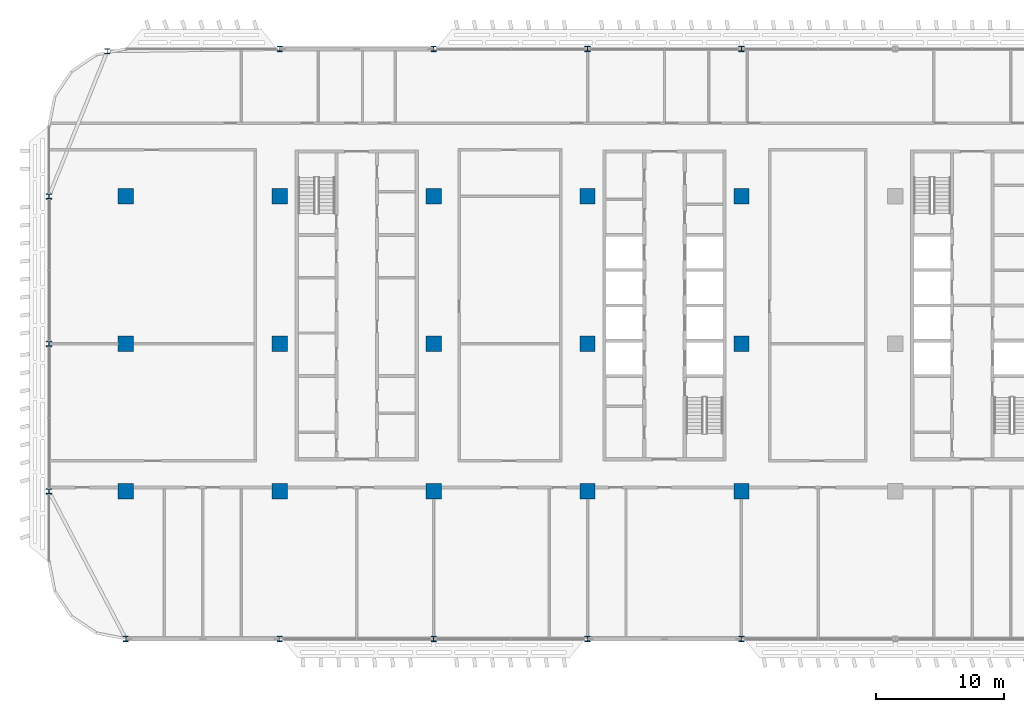
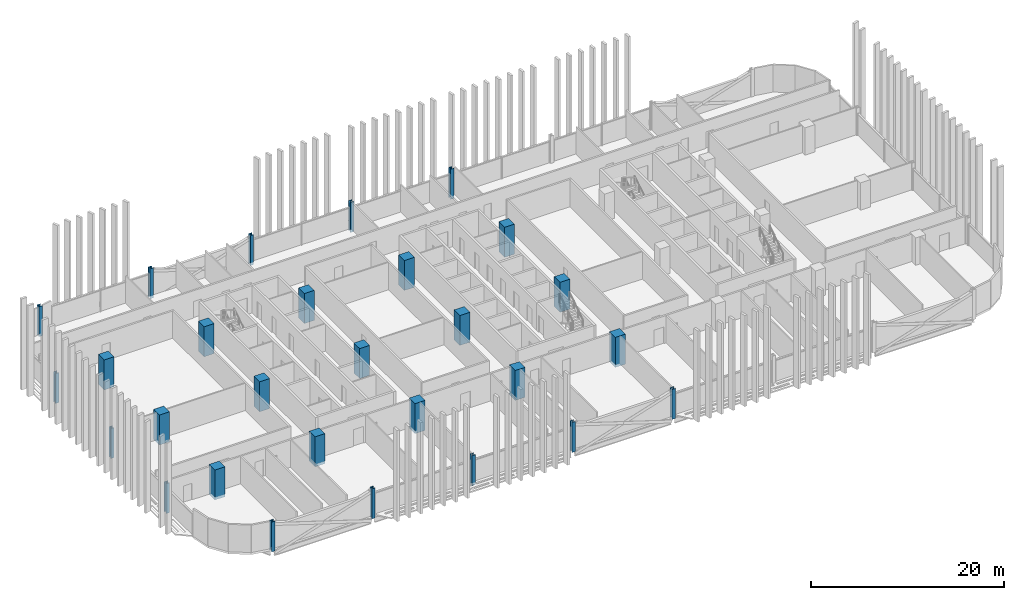
# One storey, part 1 of 28: 28 columns.
"""IFC4 building model written with IfcOpenShell, lengths in metres."""

from ifc_helpers import new_model, si_unit, direction, frame, origin, origin_2d, place, context, subcontext, project, spatial, rectangle, i_section, extrude, material, material_profile, profile_set, type_object, element, save


model = new_model("IFC4")

# Units and contexts
model_context = context("Model", 3, precision=1e-05, world=origin(), true_north=direction((0.0, 1.0)))
body_context = subcontext(model_context, "Body", "Model", "MODEL_VIEW")
ifc_project = project(units=[si_unit("LENGTHUNIT", "METRE"), si_unit("AREAUNIT", "SQUARE_METRE"), si_unit("VOLUMEUNIT", "CUBIC_METRE"), si_unit("PLANEANGLEUNIT", "RADIAN"), si_unit("MASSUNIT", "GRAM", prefix="KILO")], contexts=[model_context])

# Site, building, storey
site_placement = place(None, origin())
site = spatial("IfcSite", under=ifc_project, at=site_placement, CompositionType="ELEMENT")
building_placement = place(site_placement, origin())
building = spatial("IfcBuilding", under=site, at=building_placement, Name="Mahtab Terrace Research Tower", CompositionType="ELEMENT")
storey_placement = place(building_placement, frame((0.0, 0.0, 174.39990234375)))
storey = spatial("IfcBuildingStorey", under=building, at=storey_placement, Name="L41", CompositionType="ELEMENT", Elevation=174.39990234375)

# Columns
ifc_material_1 = material(Name="Concrete C70/85", Category="concrete")
ifc_material_profile_1 = material_profile(ifc_material_1, rectangle(XDim=1.199951171875, YDim=1.199951171875, at=origin_2d()), Name="RC column 1200x1200")
ifc_profile_set_1 = profile_set([ifc_material_profile_1], Name="Concrete C70/85")
column_type_1 = type_object("IfcColumnType", Name="RC column 1200x1200", PredefinedType="COLUMN", material=ifc_profile_set_1)
for number, where, z_axis, x_axis, name in (
    (1, (-42.0, -11.5, -0.33984375), (0.0, 0.0, 1.0), (1.0, 0.0, 0.0), "Column RC-1A L41"),
    (2, (-42.0, 0.0, -0.33984375), (0.0, 0.0, 1.0), (1.0, 0.0, 0.0), "Column RC-1B L41"),
    (3, (-42.0, 11.5, -0.33984375), (0.0, 0.0, 1.0), (1.0, 0.0, 0.0), "Column RC-1C L41"),
    (4, (-30.0, -11.5, -0.33984375), (0.0, 0.0, 1.0), (1.0, 0.0, 0.0), "Column RC-2A L41"),
    (5, (-30.0, 0.0, -0.33984375), (0.0, 0.0, 1.0), (1.0, 0.0, 0.0), "Column RC-2B L41"),
    (6, (-30.0, 11.5, -0.33984375), (0.0, 0.0, 1.0), (1.0, 0.0, 0.0), "Column RC-2C L41"),
    (7, (-18.0, -11.5, -0.33984375), (0.0, 0.0, 1.0), (1.0, 0.0, 0.0), "Column RC-3A L41"),
    (8, (-18.0, 0.0, -0.33984375), (0.0, 0.0, 1.0), (1.0, 0.0, 0.0), "Column RC-3B L41"),
    (9, (-18.0, 11.5, -0.33984375), (0.0, 0.0, 1.0), (1.0, 0.0, 0.0), "Column RC-3C L41"),
    (10, (-6.0, -11.5, -0.33984375), (0.0, 0.0, 1.0), (1.0, 0.0, 0.0), "Column RC-4A L41"),
    (11, (-6.0, 0.0, -0.33984375), (0.0, 0.0, 1.0), (1.0, 0.0, 0.0), "Column RC-4B L41"),
    (12, (-6.0, 11.5, -0.33984375), (0.0, 0.0, 1.0), (1.0, 0.0, 0.0), "Column RC-4C L41"),
    (13, (6.0, -11.5, -0.33984375), (0.0, 0.0, 1.0), (1.0, 0.0, 0.0), "Column RC-5A L41"),
    (14, (6.0, 0.0, -0.33984375), (0.0, 0.0, 1.0), (1.0, 0.0, 0.0), "Column RC-5B L41"),
    (15, (6.0, 11.5, -0.33984375), (0.0, 0.0, 1.0), (1.0, 0.0, 0.0), "Column RC-5C L41"),
):
    element("IfcColumn", number, at=place(storey_placement, frame(where, z_axis=z_axis, x_axis=x_axis)), inside=storey, type_object=column_type_1, Name=name, PredefinedType="COLUMN", context=body_context, shape_type="SweptSolid", body=[
        extrude(rectangle(XDim=1.199951171875, YDim=1.199951171875, at=origin_2d()), origin(), (0.0, 0.0, 1.0), 3.800048828125),
    ])
ifc_material_2 = material(Name="Steel ASTM A992 Gr 50", Category="steel")
ifc_material_profile_2 = material_profile(ifc_material_2, i_section(OverallWidth=0.406494140625, OverallDepth=0.41650390625, WebThickness=0.030029296875, FlangeThickness=0.048095703125, at=origin_2d()), Name="W14X257")
ifc_profile_set_2 = profile_set([ifc_material_profile_2], Name="Steel ASTM A992 Gr 50")
column_type_2 = type_object("IfcColumnType", Name="W14x257 column CS14257", PredefinedType="COLUMN", material=ifc_profile_set_2)
for number, where, z_axis, x_axis, name in (
    (16, (6.0, 23.0, -0.33984375), (0.0, 0.0, 1.0), (1.0, 0.0, 0.0), "Column SC-004 L41"),
    (17, (-6.0, 23.0, -0.33984375), (0.0, 0.0, 1.0), (1.0, 0.0, 0.0), "Column SC-005 L41"),
    (18, (-18.0, 23.0, -0.33984375), (0.0, 0.0, 1.0), (1.0, 0.0, 0.0), "Column SC-006 L41"),
    (19, (-30.0, 23.0, -0.33984375), (0.0, 0.0, 1.0), (1.0, 0.0, 0.0), "Column SC-007 L41"),
    (20, (-43.447998046875, 22.822021484375, -0.33984375), (0.0, 0.0, 1.0), (1.0, 0.0, 0.0), "Column SC-051 L41"),
    (21, (-48.0, 11.5, -0.33984375), (0.0, 0.0, 1.0), (1.0, 0.0, 0.0), "Column SC-009 L41"),
    (22, (-48.0, 0.0, -0.33984375), (0.0, 0.0, 1.0), (1.0, 0.0, 0.0), "Column SC-010 L41"),
    (23, (-48.0, -11.5, -0.33984375), (0.0, 0.0, 1.0), (1.0, 0.0, 0.0), "Column SC-011 L41"),
    (24, (-42.0, -23.0, -0.33984375), (0.0, 0.0, 1.0), (1.0, 0.0, 0.0), "Column SC-012 L41"),
    (25, (-30.0, -23.0, -0.33984375), (0.0, 0.0, 1.0), (1.0, 0.0, 0.0), "Column SC-013 L41"),
    (26, (-18.0, -23.0, -0.33984375), (0.0, 0.0, 1.0), (1.0, 0.0, 0.0), "Column SC-014 L41"),
    (27, (-6.0, -23.0, -0.33984375), (0.0, 0.0, 1.0), (1.0, 0.0, 0.0), "Column SC-015 L41"),
    (28, (6.0, -23.0, -0.33984375), (0.0, 0.0, 1.0), (1.0, 0.0, 0.0), "Column SC-016 L41"),
):
    element("IfcColumn", number, at=place(storey_placement, frame(where, z_axis=z_axis, x_axis=x_axis)), inside=storey, type_object=column_type_2, Name=name, PredefinedType="COLUMN", context=body_context, shape_type="SweptSolid", body=[
        extrude(i_section(OverallWidth=0.406494140625, OverallDepth=0.41650390625, WebThickness=0.030029296875, FlangeThickness=0.048095703125, at=origin_2d()), origin(), (0.0, 0.0, 1.0), 3.800048828125),
    ])

save(model, "model.ifc")
